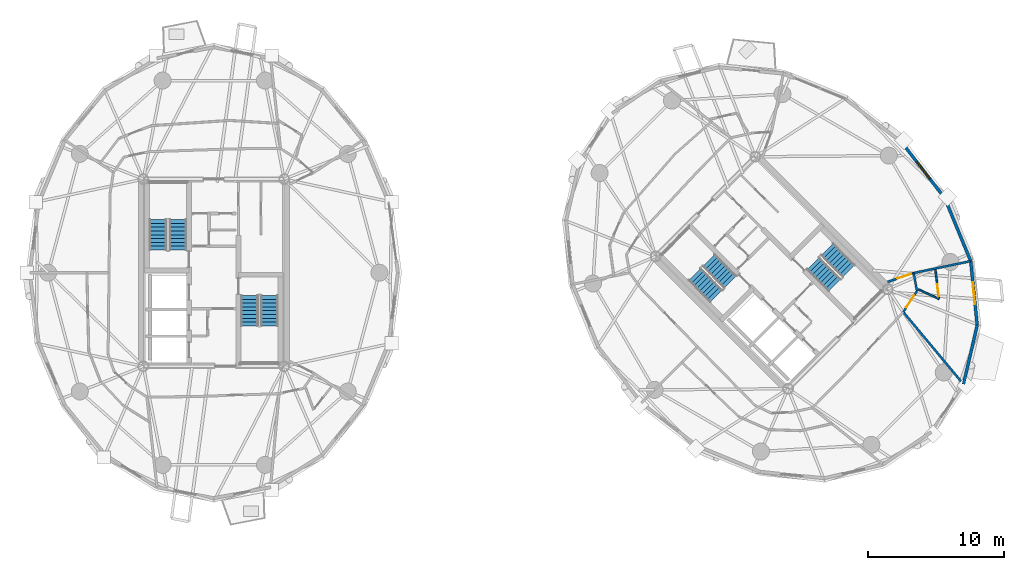
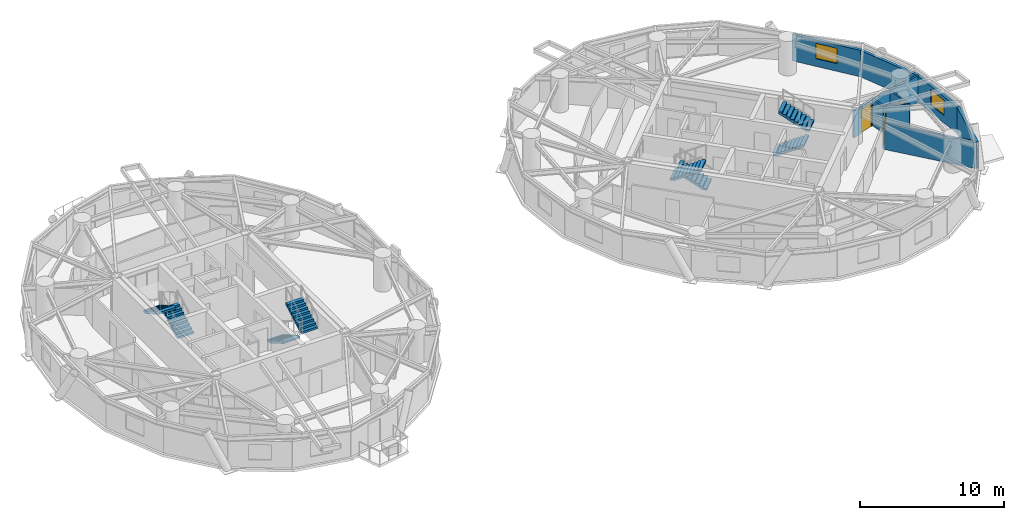
# One storey, part 15 of 18: 11 walls, 8 stair flights, 3 doors, 2 windows, 5 openings, 4 elements without a shape of their own.
"""IFC4 building model written with IfcOpenShell, lengths in metres."""

from ifc_helpers import new_model, si_unit, direction, frame, frame_2d, origin, place, context, subcontext, project, spatial, polyline, rectangle, outline, extrude, source, transform, mapped, material, layer, layer_set, type_object, element, fill, aggregate, save


model = new_model("IFC4")

# Units and contexts
model_context = context("Model", 3, precision=1e-05, world=origin(), true_north=direction((0.0, 1.0)))
body_context = subcontext(model_context, "Body", "Model", "MODEL_VIEW")
ifc_project = project(units=[si_unit("LENGTHUNIT", "METRE"), si_unit("AREAUNIT", "SQUARE_METRE"), si_unit("VOLUMEUNIT", "CUBIC_METRE"), si_unit("PLANEANGLEUNIT", "RADIAN"), si_unit("MASSUNIT", "GRAM", prefix="KILO")], contexts=[model_context])

# Site, building, storey
site_placement = place(None, origin())
site = spatial("IfcSite", under=ifc_project, at=site_placement, CompositionType="ELEMENT")
building_placement = place(site_placement, origin())
building = spatial("IfcBuilding", under=site, at=building_placement, Name="Cununo Teusaquillo Station Towers", CompositionType="ELEMENT")
storey_placement = place(building_placement, frame((0.0, 0.0, 169.06005859375)))
storey = spatial("IfcBuildingStorey", under=building, at=storey_placement, Name="L53", CompositionType="ELEMENT", Elevation=169.06005859375)

# Wall
ifc_material_1 = material(Name="Precast concrete C40/50", Category="concrete")
ifc_layer_1 = layer(ifc_material_1, 0.219970703125)
ifc_layer_set_1 = layer_set([ifc_layer_1], Name="Precast concrete C40/50")
wall_type_1 = type_object("IfcWallType", Name="WL-EXT-220", PredefinedType="SOLIDWALL", material=ifc_layer_set_1)
wall_1_placement = place(storey_placement, frame((72.602783203125, 20.644775390625, 0.0), z_axis=(0.0, 0.0, 1.0), x_axis=(-0.22557328587, -0.97422620202, 0.0)))
element("IfcWall", 1, at=wall_1_placement, inside=storey, type_object=wall_type_1, Name="L53 Tower B Exterior Facade Wall C16", PredefinedType="SOLIDWALL", context=body_context, shape_type="SweptSolid", body=[
    extrude(rectangle(XDim=4.446044921875, YDim=0.219970703125, at=frame_2d((2.22314453125, 0.0))), origin(), (0.0, 0.0, 1.0), 2.244873046875),
])

# Wall, opening, window
wall_2_placement = place(storey_placement, frame((72.12744140625, 25.353515625, 0.0), z_axis=(0.0, 0.0, 1.0), x_axis=(0.100438356004, -0.994943283129, 0.0)))
wall_2 = element("IfcWall", 2, at=wall_2_placement, inside=storey, type_object=wall_type_1, Name="L53 Tower B Exterior Facade Wall C17", PredefinedType="SOLIDWALL", context=body_context, shape_type="SweptSolid", body=[
    extrude(rectangle(XDim=4.732666015625, YDim=0.219970703125, at=frame_2d((2.3662109375, 0.0))), origin(), (0.0, 0.0, 1.0), 2.244873046875),
])
shared_shape_1 = source(origin(), body_context, "Body", "SweptSolid", [
    extrude(rectangle(XDim=1.60009765625, YDim=1.300048828125, at=frame_2d((0.800048828125, 0.64990234375))), frame((0.0, 0.119873046875, 0.0), z_axis=(0.0, -1.0, 0.0), x_axis=(1.0, 0.0, 0.0)), (0.0, 0.0, 1.0), 0.239990234375),
])
opening_1_placement = place(wall_2_placement, frame((1.56591796875, 0.0, 0.64990234375)))
opening_1 = element("IfcOpeningElement", 3, at=opening_1_placement, cuts=wall_2, Name="Opening WN-03", PredefinedType="OPENING", context=body_context, shape_type="MappedRepresentation", body=[
    mapped(shared_shape_1, transform((0.0, 0.0, 0.0), x_axis=(1.0, 0.0, 0.0), y_axis=(0.0, 1.0, 0.0), z_axis=(0.0, 0.0, 1.0), scale=1.0)),
])
ifc_material_2 = material(Name="Ceramic-fritted dark low-E double glazing", Category="glass")
window_type = type_object("IfcWindowType", Name="WIN-CORN-1600", PartitioningType="SINGLE_PANEL", PredefinedType="WINDOW", material=ifc_material_2)
shared_shape_2 = source(origin(), body_context, "Body", "SweptSolid", [
    extrude(rectangle(XDim=1.60009765625, YDim=1.300048828125, at=frame_2d((0.800048828125, 0.64990234375))), frame((0.0, 0.030029296875, 0.0), z_axis=(0.0, -1.0, 0.0), x_axis=(1.0, 0.0, 0.0)), (0.0, 0.0, 1.0), 0.06005859375),
])
window_1_placement = place(opening_1_placement, origin())
window_1 = element("IfcWindow", 4, at=window_1_placement, inside=storey, type_object=window_type, Name="L53 Tower B Facade Window C17", OverallHeight=1.300048828125, OverallWidth=1.60009765625, PartitioningType="SINGLE_PANEL", PredefinedType="WINDOW", context=body_context, shape_type="MappedRepresentation", body=[
    mapped(shared_shape_2, transform((0.0, 0.0, 0.0), x_axis=(1.0, 0.0, 0.0), y_axis=(0.0, 1.0, 0.0), z_axis=(0.0, 0.0, 1.0), scale=1.0)),
])
fill(opening_1, window_1)

# Wall
wall_3_placement = place(storey_placement, frame((70.22021484375, 29.97900390625, 0.0), z_axis=(0.0, 0.0, 1.0), x_axis=(0.381196434348, -0.924494066201, 0.0)))
element("IfcWall", 5, at=wall_3_placement, inside=storey, type_object=wall_type_1, Name="L53 Tower B Exterior Facade Wall C18", PredefinedType="SOLIDWALL", context=body_context, shape_type="SweptSolid", body=[
    extrude(rectangle(XDim=5.003173828125, YDim=0.219970703125, at=frame_2d((2.50146484375, 0.0))), origin(), (0.0, 0.0, 1.0), 2.244873046875),
])

# Wall, opening, window
wall_4_placement = place(storey_placement, frame((67.06787109375, 34.06787109375, 0.0), z_axis=(0.0, 0.0, 1.0), x_axis=(0.610569654715, -0.791962560189, 0.0)))
wall_4 = element("IfcWall", 6, at=wall_4_placement, inside=storey, type_object=wall_type_1, Name="L53 Tower B Exterior Facade Wall C19", PredefinedType="SOLIDWALL", context=body_context, shape_type="SweptSolid", body=[
    extrude(rectangle(XDim=5.162841796875, YDim=0.219970703125, at=frame_2d((2.58154296875, 0.0))), origin(), (0.0, 0.0, 1.0), 2.244873046875),
])
opening_2_placement = place(wall_4_placement, frame((1.781982421875, 0.0, 0.64990234375)))
opening_2 = element("IfcOpeningElement", 7, at=opening_2_placement, cuts=wall_4, Name="Opening WN-03", PredefinedType="OPENING", context=body_context, shape_type="MappedRepresentation", body=[
    mapped(shared_shape_1, transform((0.0, 0.0, 0.0), x_axis=(1.0, 0.0, 0.0), y_axis=(0.0, 1.0, 0.0), z_axis=(0.0, 0.0, 1.0), scale=1.0)),
])
window_2_placement = place(opening_2_placement, origin())
window_2 = element("IfcWindow", 8, at=window_2_placement, inside=storey, type_object=window_type, Name="L53 Tower B Facade Window C19", OverallHeight=1.300048828125, OverallWidth=1.60009765625, PartitioningType="SINGLE_PANEL", PredefinedType="WINDOW", context=body_context, shape_type="MappedRepresentation", body=[
    mapped(shared_shape_2, transform((0.0, 0.0, 0.0), x_axis=(1.0, 0.0, 0.0), y_axis=(0.0, 1.0, 0.0), z_axis=(0.0, 0.0, 1.0), scale=1.0)),
])
fill(opening_2, window_2)

# Wall
ifc_material_3 = material(Name="Fire-rated gypsum plasterboard partition assembly", Category="gypsum")
ifc_layer_2 = layer(ifc_material_3, 0.125)
ifc_layer_set_2 = layer_set([ifc_layer_2], Name="Fire-rated gypsum plasterboard partition assembly")
wall_type_2 = type_object("IfcWallType", Name="WL-PART-125", PredefinedType="PARTITIONING", material=ifc_layer_set_2)
wall_5_placement = place(storey_placement, frame((68.274658203125, 23.27978515625, 0.0), z_axis=(0.0, 0.0, 1.0), x_axis=(0.906681243062, -0.421816457099, 0.0)))
element("IfcWall", 9, at=wall_5_placement, inside=storey, type_object=wall_type_2, Name="L53 Tower B S06 En-suite Side Wall", PredefinedType="PARTITIONING", context=body_context, shape_type="SweptSolid", body=[
    extrude(rectangle(XDim=1.688232421875, YDim=0.125, at=frame_2d((0.84423828125, 0.0))), origin(), (0.0, 0.0, 1.0), 2.31201171875),
])

# Wall, opening, door
wall_6_placement = place(storey_placement, frame((69.797119140625, 22.6328125, 0.0), z_axis=(0.0, 0.0, 1.0), x_axis=(-0.125234581717, 0.992127158958, 0.0)))
wall_6 = element("IfcWall", 10, at=wall_6_placement, inside=storey, type_object=wall_type_2, Name="L53 Tower B S06 En-suite Back Wall", PredefinedType="PARTITIONING", context=body_context, shape_type="SweptSolid", body=[
    extrude(rectangle(XDim=2.103515625, YDim=0.125, at=frame_2d((1.0517578125, 0.0))), origin(), (0.0, 0.0, 1.0), 2.244873046875),
])
shared_shape_3 = source(origin(), body_context, "Body", "SweptSolid", [
    extrude(rectangle(XDim=0.89990234375, YDim=2.0048828125, at=frame_2d((0.449951171875, 1.00244140625))), frame((0.0, 0.072509765625, 0.0), z_axis=(0.0, -1.0, 0.0), x_axis=(1.0, 0.0, 0.0)), (0.0, 0.0, 1.0), 0.14501953125),
])
opening_3_placement = place(wall_6_placement, frame((0.1201171875, 0.0, 0.0)))
opening_3 = element("IfcOpeningElement", 11, at=opening_3_placement, cuts=wall_6, Name="Opening D-IN1", PredefinedType="OPENING", context=body_context, shape_type="MappedRepresentation", body=[
    mapped(shared_shape_3, transform((0.0, 0.0, 0.0), x_axis=(1.0, 0.0, 0.0), y_axis=(0.0, 1.0, 0.0), z_axis=(0.0, 0.0, 1.0), scale=1.0)),
])
ifc_material_4 = material(Name="Acoustic solid-core hardwood leaf assembly", Category="wood")
door_type_1 = type_object("IfcDoorType", Name="DR-INT-900", OperationType="NOTDEFINED", PredefinedType="DOOR", material=ifc_material_4)
shared_shape_4 = source(origin(), body_context, "Body", "SweptSolid", [
    extrude(rectangle(XDim=0.89990234375, YDim=2.0048828125, at=frame_2d((0.449951171875, 1.00244140625))), frame((0.0, 0.02490234375, 0.0), z_axis=(0.0, -1.0, 0.0), x_axis=(1.0, 0.0, 0.0)), (0.0, 0.0, 1.0), 0.050048828125),
])
door_1_placement = place(opening_3_placement, origin())
door_1 = element("IfcDoor", 12, at=door_1_placement, inside=storey, type_object=door_type_1, Name="L53 Tower B S06 En-suite Bathroom Door", OperationType="SINGLE_SWING_LEFT", OverallHeight=2.0048828125, OverallWidth=0.89990234375, PredefinedType="DOOR", context=body_context, shape_type="MappedRepresentation", body=[
    mapped(shared_shape_4, transform((0.0, 0.0, 0.0), x_axis=(1.0, 0.0, 0.0), y_axis=(0.0, 1.0, 0.0), z_axis=(0.0, 0.0, 1.0), scale=1.0)),
])
fill(opening_3, door_1)

ifc_material_5 = material(Name="Fire-rated gypsum plasterboard partition assembly", Category="gypsum")
ifc_layer_3 = layer(ifc_material_5, 0.14990234375)
ifc_layer_set_3 = layer_set([ifc_layer_3], Name="Fire-rated gypsum plasterboard partition assembly")
wall_type_3 = type_object("IfcWallType", Name="WL-PART-150", PredefinedType="PARTITIONING", material=ifc_layer_set_3)
wall_7_placement = place(storey_placement, frame((67.17333984375, 21.6083984375, 0.0), z_axis=(0.0, 0.0, 1.0), x_axis=(0.544299403682, 0.838891029367, 0.0)))
wall_7 = element("IfcWall", 13, at=wall_7_placement, inside=storey, type_object=wall_type_3, Name="L53 Tower B Corridor Ring Wall C16", PredefinedType="PARTITIONING", context=body_context, shape_type="SweptSolid", body=[
    extrude(rectangle(XDim=1.843994140625, YDim=0.14990234375, at=frame_2d((0.921875, 0.0))), origin(), (0.0, 0.0, 1.0), 2.244873046875),
])
shared_shape_5 = source(origin(), body_context, "Body", "SweptSolid", [
    extrude(rectangle(XDim=1.050048828125, YDim=2.014892578125, at=frame_2d((0.52490234375, 1.00732421875))), frame((0.0, 0.0849609375, 0.0), z_axis=(0.0, -1.0, 0.0), x_axis=(1.0, 0.0, 0.0)), (0.0, 0.0, 1.0), 0.169921875),
])
opening_4_placement = place(wall_7_placement, frame((0.39697265625, 0.0, 0.0)))
opening_4 = element("IfcOpeningElement", 14, at=opening_4_placement, cuts=wall_7, Name="Opening D-SU1", PredefinedType="OPENING", context=body_context, shape_type="MappedRepresentation", body=[
    mapped(shared_shape_5, transform((0.0, 0.0, 0.0), x_axis=(1.0, 0.0, 0.0), y_axis=(0.0, 1.0, 0.0), z_axis=(0.0, 0.0, 1.0), scale=1.0)),
])
ifc_material_6 = material(Name="Acoustic solid-core hardwood leaf assembly", Category="wood")
door_type_2 = type_object("IfcDoorType", Name="DR-SUITE-1050", OperationType="NOTDEFINED", PredefinedType="DOOR", material=ifc_material_6)
shared_shape_6 = source(origin(), body_context, "Body", "SweptSolid", [
    extrude(rectangle(XDim=1.050048828125, YDim=2.014892578125, at=frame_2d((0.52490234375, 1.00732421875))), frame((0.0, 0.02490234375, 0.0), z_axis=(0.0, -1.0, 0.0), x_axis=(1.0, 0.0, 0.0)), (0.0, 0.0, 1.0), 0.050048828125),
])
door_2_placement = place(opening_4_placement, origin())
door_2 = element("IfcDoor", 15, at=door_2_placement, inside=storey, type_object=door_type_2, Name="L53 Tower B Diplomatic Crest Hotel Suite Entrance Door", OperationType="SINGLE_SWING_RIGHT", OverallHeight=2.014892578125, OverallWidth=1.050048828125, PredefinedType="DOOR", context=body_context, shape_type="MappedRepresentation", body=[
    mapped(shared_shape_6, transform((0.0, 0.0, 0.0), x_axis=(1.0, 0.0, 0.0), y_axis=(0.0, 1.0, 0.0), z_axis=(0.0, 0.0, 1.0), scale=1.0)),
])
fill(opening_4, door_2)

# Walls
wall_8_placement = place(storey_placement, frame((68.177001953125, 23.1552734375, 0.0), z_axis=(0.0, 0.0, 1.0), x_axis=(-0.1778483434, 0.98405790823, 0.0)))
element("IfcWall", 16, at=wall_8_placement, inside=storey, type_object=wall_type_3, Name="L53 Tower B Corridor Ring Wall C17", PredefinedType="PARTITIONING", context=body_context, shape_type="SweptSolid", body=[
    extrude(rectangle(XDim=1.3466796875, YDim=0.14990234375, at=frame_2d((0.67333984375, 0.0))), origin(), (0.0, 0.0, 1.0), 2.244873046875),
])
ifc_material_7 = material(Name="Fire-rated gypsum plasterboard partition assembly", Category="gypsum")
ifc_layer_4 = layer(ifc_material_7, 0.159912109375)
ifc_layer_set_4 = layer_set([ifc_layer_4], Name="Fire-rated gypsum plasterboard partition assembly")
wall_type_4 = type_object("IfcWallType", Name="WL-PART-160", PredefinedType="PARTITIONING", material=ifc_layer_set_4)
wall_9_placement = place(storey_placement, frame((67.17333984375, 21.6083984375, 0.0), z_axis=(0.0, 0.0, 1.0), x_axis=(0.64050880156, -0.767950828585, 0.0)))
element("IfcWall", 17, at=wall_9_placement, inside=storey, type_object=wall_type_4, Name="L53 Tower B Radial Suite Partition R06", PredefinedType="PARTITIONING", context=body_context, shape_type="SweptSolid", body=[
    extrude(rectangle(XDim=6.883056640625, YDim=0.159912109375, at=frame_2d((3.44140625, 0.0))), origin(), (0.0, 0.0, 1.0), 2.244873046875),
])
wall_10_placement = place(storey_placement, frame((67.9375, 24.48046875, 0.0), z_axis=(0.0, 0.0, 1.0), x_axis=(0.978917914143, 0.204254051051, 0.0)))
element("IfcWall", 18, at=wall_10_placement, inside=storey, type_object=wall_type_4, Name="L53 Tower B Radial Suite Partition R07", PredefinedType="PARTITIONING", context=body_context, shape_type="SweptSolid", body=[
    extrude(rectangle(XDim=4.260009765625, YDim=0.159912109375, at=frame_2d((2.1298828125, 0.0))), origin(), (0.0, 0.0, 1.0), 2.244873046875),
])

# Wall, opening, door
wall_11_placement = place(storey_placement, frame((66.0205078125, 23.828125, 0.0), z_axis=(0.0, 0.0, 1.0), x_axis=(0.946687463515, 0.32215345167, 0.0)))
wall_11 = element("IfcWall", 19, at=wall_11_placement, inside=storey, type_object=wall_type_4, Name="L53 Tower B East Salon Corridor Portal Wall SE", PredefinedType="PARTITIONING", context=body_context, shape_type="SweptSolid", body=[
    extrude(rectangle(XDim=2.02490234375, YDim=0.159912109375, at=frame_2d((1.012451171875, 0.0))), origin(), (0.0, 0.0, 1.0), 2.244873046875),
])
shared_shape_7 = source(origin(), body_context, "Body", "SweptSolid", [
    extrude(rectangle(XDim=1.050048828125, YDim=2.014892578125, at=frame_2d((0.52490234375, 1.00732421875))), frame((0.0, 0.08984375, 0.0), z_axis=(0.0, -1.0, 0.0), x_axis=(1.0, 0.0, 0.0)), (0.0, 0.0, 1.0), 0.179931640625),
])
opening_5_placement = place(wall_11_placement, frame((0.774658203125, 0.0, 0.0)))
opening_5 = element("IfcOpeningElement", 20, at=opening_5_placement, cuts=wall_11, Name="Opening D-SU1", PredefinedType="OPENING", context=body_context, shape_type="MappedRepresentation", body=[
    mapped(shared_shape_7, transform((0.0, 0.0, 0.0), x_axis=(1.0, 0.0, 0.0), y_axis=(0.0, 1.0, 0.0), z_axis=(0.0, 0.0, 1.0), scale=1.0)),
])
door_3_placement = place(opening_5_placement, origin())
door_3 = element("IfcDoor", 21, at=door_3_placement, inside=storey, type_object=door_type_2, Name="L53 Tower B East Panorama Sky Salon Door SE", OperationType="SINGLE_SWING_LEFT", OverallHeight=2.014892578125, OverallWidth=1.050048828125, PredefinedType="DOOR", context=body_context, shape_type="MappedRepresentation", body=[
    mapped(shared_shape_6, transform((0.0, 0.0, 0.0), x_axis=(1.0, 0.0, 0.0), y_axis=(0.0, 1.0, 0.0), z_axis=(0.0, 0.0, 1.0), scale=1.0)),
])
fill(opening_5, door_3)

# Stair, stair flights
ifc_material_8 = material(Name="Concrete C50/60", Category="concrete")
stair_type = type_object("IfcStairType", Name="ST-TWR-1300", PredefinedType="HALF_TURN_STAIR", material=ifc_material_8)
stair_1_placement = place(storey_placement, origin())
stair_1 = element("IfcStair", 22, at=stair_1_placement, inside=storey, type_object=stair_type, Name="L53 Tower A Protected Core Exit Stair 1", PredefinedType="HALF_TURN_STAIR")
ifc_material_9 = material(Name="Concrete C50/60", Category="concrete")
stair_flight_type = type_object("IfcStairFlightType", Name="SFL-TWR-1300", PredefinedType="STRAIGHT", material=ifc_material_9)
stair_flight_1_placement = place(storey_placement, frame((13.8701171875, 26.169921875, 0.0), z_axis=(0.0, 0.0, 1.0), x_axis=(0.0, 1.0, 0.0)))
stair_flight_1 = element("IfcStairFlight", 23, at=stair_flight_1_placement, type_object=stair_flight_type, Name="ST-T1-1 flight 1", NumberOfRisers=9, NumberOfTreads=8, PredefinedType="STRAIGHT", RiserHeight=0.161666667, TreadLength=0.28, context=body_context, shape_type="SweptSolid", body=[
    extrude(outline(polyline([(0.0, 0.0), (0.0, 0.16162109375), (0.280029296875, 0.16162109375), (0.280029296875, 0.3232421875), (0.56005859375, 0.3232421875), (0.56005859375, 0.485107421875), (0.840087890625, 0.485107421875), (0.840087890625, 0.646728515625), (1.1201171875, 0.646728515625), (1.1201171875, 0.808349609375), (1.39990234375, 0.808349609375), (1.39990234375, 0.969970703125), (1.679931640625, 0.969970703125), (1.679931640625, 1.131591796875), (1.9599609375, 1.131591796875), (1.9599609375, 1.293212890625), (2.239990234375, 1.293212890625), (2.239990234375, 1.455078125), (2.239990234375, 1.1201171875), (0.2998046875, 0.0), (0.0, 0.0)])), frame((0.0, 0.64990234375, 0.0), z_axis=(0.0, -1.0, 0.0), x_axis=(1.0, 0.0, 0.0)), (0.0, 0.0, 1.0), 1.300048828125),
])
stair_flight_2_placement = place(storey_placement, frame((12.409912109375, 28.409912109375, 1.454833984375), z_axis=(0.0, 0.0, 1.0), x_axis=(0.0, -1.0, 0.0)))
stair_flight_2 = element("IfcStairFlight", 24, at=stair_flight_2_placement, type_object=stair_flight_type, Name="ST-T1-1 flight 2", NumberOfRisers=9, NumberOfTreads=8, PredefinedType="STRAIGHT", RiserHeight=0.161666667, TreadLength=0.28, context=body_context, shape_type="SweptSolid", body=[
    extrude(outline(polyline([(0.0, 0.0), (0.0, 0.16162109375), (0.280029296875, 0.16162109375), (0.280029296875, 0.3232421875), (0.56005859375, 0.3232421875), (0.56005859375, 0.485107421875), (0.840087890625, 0.485107421875), (0.840087890625, 0.646728515625), (1.1201171875, 0.646728515625), (1.1201171875, 0.808349609375), (1.39990234375, 0.808349609375), (1.39990234375, 0.969970703125), (1.679931640625, 0.969970703125), (1.679931640625, 1.131591796875), (1.9599609375, 1.131591796875), (1.9599609375, 1.293212890625), (2.239990234375, 1.293212890625), (2.239990234375, 1.455078125), (2.239990234375, 1.1201171875), (0.2998046875, 0.0), (0.0, 0.0)])), frame((0.0, 0.64990234375, 0.0), z_axis=(0.0, -1.0, 0.0), x_axis=(1.0, 0.0, 0.0)), (0.0, 0.0, 1.0), 1.300048828125),
])
aggregate(stair_1, [stair_flight_1, stair_flight_2])

stair_2_placement = place(storey_placement, origin())
stair_2 = element("IfcStair", 25, at=stair_2_placement, inside=storey, type_object=stair_type, Name="L53 Tower A Protected Core Exit Stair 2", PredefinedType="HALF_TURN_STAIR")
stair_flight_3_placement = place(storey_placement, frame((19.1298828125, 22.830078125, 0.0), z_axis=(0.0, 0.0, 1.0), x_axis=(0.0, -1.0, 0.0)))
stair_flight_3 = element("IfcStairFlight", 26, at=stair_flight_3_placement, type_object=stair_flight_type, Name="ST-T1-2 flight 1", NumberOfRisers=9, NumberOfTreads=8, PredefinedType="STRAIGHT", RiserHeight=0.161666667, TreadLength=0.28, context=body_context, shape_type="SweptSolid", body=[
    extrude(outline(polyline([(0.0, 0.0), (0.0, 0.16162109375), (0.280029296875, 0.16162109375), (0.280029296875, 0.3232421875), (0.56005859375, 0.3232421875), (0.56005859375, 0.485107421875), (0.840087890625, 0.485107421875), (0.840087890625, 0.646728515625), (1.1201171875, 0.646728515625), (1.1201171875, 0.808349609375), (1.39990234375, 0.808349609375), (1.39990234375, 0.969970703125), (1.679931640625, 0.969970703125), (1.679931640625, 1.131591796875), (1.9599609375, 1.131591796875), (1.9599609375, 1.293212890625), (2.239990234375, 1.293212890625), (2.239990234375, 1.455078125), (2.239990234375, 1.1201171875), (0.2998046875, 0.0), (0.0, 0.0)])), frame((0.0, 0.64990234375, 0.0), z_axis=(0.0, -1.0, 0.0), x_axis=(1.0, 0.0, 0.0)), (0.0, 0.0, 1.0), 1.300048828125),
])
stair_flight_4_placement = place(storey_placement, frame((20.590087890625, 20.590087890625, 1.454833984375), z_axis=(0.0, 0.0, 1.0), x_axis=(0.0, 1.0, 0.0)))
stair_flight_4 = element("IfcStairFlight", 27, at=stair_flight_4_placement, type_object=stair_flight_type, Name="ST-T1-2 flight 2", NumberOfRisers=9, NumberOfTreads=8, PredefinedType="STRAIGHT", RiserHeight=0.161666667, TreadLength=0.28, context=body_context, shape_type="SweptSolid", body=[
    extrude(outline(polyline([(0.0, 0.0), (0.0, 0.16162109375), (0.280029296875, 0.16162109375), (0.280029296875, 0.3232421875), (0.56005859375, 0.3232421875), (0.56005859375, 0.485107421875), (0.840087890625, 0.485107421875), (0.840087890625, 0.646728515625), (1.1201171875, 0.646728515625), (1.1201171875, 0.808349609375), (1.39990234375, 0.808349609375), (1.39990234375, 0.969970703125), (1.679931640625, 0.969970703125), (1.679931640625, 1.131591796875), (1.9599609375, 1.131591796875), (1.9599609375, 1.293212890625), (2.239990234375, 1.293212890625), (2.239990234375, 1.455078125), (2.239990234375, 1.1201171875), (0.2998046875, 0.0), (0.0, 0.0)])), frame((0.0, 0.64990234375, 0.0), z_axis=(0.0, -1.0, 0.0), x_axis=(1.0, 0.0, 0.0)), (0.0, 0.0, 1.0), 1.300048828125),
])
aggregate(stair_2, [stair_flight_3, stair_flight_4])

stair_3_placement = place(storey_placement, origin())
stair_3 = element("IfcStair", 28, at=stair_3_placement, inside=storey, type_object=stair_type, Name="L53 Tower B Protected Core Exit Stair 1", PredefinedType="HALF_TURN_STAIR")
stair_flight_5_placement = place(storey_placement, frame((54.45947265625, 23.8212890625, 0.0), z_axis=(0.0, 0.0, 1.0), x_axis=(-0.707106781187, 0.707106781187, 0.0)))
stair_flight_5 = element("IfcStairFlight", 29, at=stair_flight_5_placement, type_object=stair_flight_type, Name="ST-T2-1 flight 1", NumberOfRisers=9, NumberOfTreads=8, PredefinedType="STRAIGHT", RiserHeight=0.161666667, TreadLength=0.28, context=body_context, shape_type="SweptSolid", body=[
    extrude(outline(polyline([(0.0, 0.0), (0.0, 0.16162109375), (0.280029296875, 0.16162109375), (0.280029296875, 0.3232421875), (0.56005859375, 0.3232421875), (0.56005859375, 0.485107421875), (0.840087890625, 0.485107421875), (0.840087890625, 0.646728515625), (1.1201171875, 0.646728515625), (1.1201171875, 0.808349609375), (1.39990234375, 0.808349609375), (1.39990234375, 0.969970703125), (1.679931640625, 0.969970703125), (1.679931640625, 1.131591796875), (1.9599609375, 1.131591796875), (1.9599609375, 1.293212890625), (2.239990234375, 1.293212890625), (2.239990234375, 1.455078125), (2.239990234375, 1.1201171875), (0.2998046875, 0.0), (0.0, 0.0)])), frame((0.0, 0.64990234375, 0.0), z_axis=(0.0, -1.0, 0.0), x_axis=(1.0, 0.0, 0.0)), (0.0, 0.0, 1.0), 1.300048828125),
])
stair_flight_6_placement = place(storey_placement, frame((51.84326171875, 24.372802734375, 1.454833984375), z_axis=(0.0, 0.0, 1.0), x_axis=(0.707106781187, -0.707106781187, 0.0)))
stair_flight_6 = element("IfcStairFlight", 30, at=stair_flight_6_placement, type_object=stair_flight_type, Name="ST-T2-1 flight 2", NumberOfRisers=9, NumberOfTreads=8, PredefinedType="STRAIGHT", RiserHeight=0.161666667, TreadLength=0.28, context=body_context, shape_type="SweptSolid", body=[
    extrude(outline(polyline([(0.0, 0.0), (0.0, 0.16162109375), (0.280029296875, 0.16162109375), (0.280029296875, 0.3232421875), (0.56005859375, 0.3232421875), (0.56005859375, 0.485107421875), (0.840087890625, 0.485107421875), (0.840087890625, 0.646728515625), (1.1201171875, 0.646728515625), (1.1201171875, 0.808349609375), (1.39990234375, 0.808349609375), (1.39990234375, 0.969970703125), (1.679931640625, 0.969970703125), (1.679931640625, 1.131591796875), (1.9599609375, 1.131591796875), (1.9599609375, 1.293212890625), (2.239990234375, 1.293212890625), (2.239990234375, 1.455078125), (2.239990234375, 1.1201171875), (0.2998046875, 0.0), (0.0, 0.0)])), frame((0.0, 0.64990234375, 0.0), z_axis=(0.0, -1.0, 0.0), x_axis=(1.0, 0.0, 0.0)), (0.0, 0.0, 1.0), 1.300048828125),
])
aggregate(stair_3, [stair_flight_5, stair_flight_6])

stair_4_placement = place(storey_placement, origin())
stair_4 = element("IfcStair", 31, at=stair_4_placement, inside=storey, type_object=stair_type, Name="L53 Tower B Protected Core Exit Stair 2", PredefinedType="HALF_TURN_STAIR")
stair_flight_7_placement = place(storey_placement, frame((60.54052734375, 25.1787109375, 0.0), z_axis=(0.0, 0.0, 1.0), x_axis=(0.707106781187, -0.707106781187, 0.0)))
stair_flight_7 = element("IfcStairFlight", 32, at=stair_flight_7_placement, type_object=stair_flight_type, Name="ST-T2-2 flight 1", NumberOfRisers=9, NumberOfTreads=8, PredefinedType="STRAIGHT", RiserHeight=0.161666667, TreadLength=0.28, context=body_context, shape_type="SweptSolid", body=[
    extrude(outline(polyline([(0.0, 0.0), (0.0, 0.16162109375), (0.280029296875, 0.16162109375), (0.280029296875, 0.3232421875), (0.56005859375, 0.3232421875), (0.56005859375, 0.485107421875), (0.840087890625, 0.485107421875), (0.840087890625, 0.646728515625), (1.1201171875, 0.646728515625), (1.1201171875, 0.808349609375), (1.39990234375, 0.808349609375), (1.39990234375, 0.969970703125), (1.679931640625, 0.969970703125), (1.679931640625, 1.131591796875), (1.9599609375, 1.131591796875), (1.9599609375, 1.293212890625), (2.239990234375, 1.293212890625), (2.239990234375, 1.455078125), (2.239990234375, 1.1201171875), (0.2998046875, 0.0), (0.0, 0.0)])), frame((0.0, 0.64990234375, 0.0), z_axis=(0.0, -1.0, 0.0), x_axis=(1.0, 0.0, 0.0)), (0.0, 0.0, 1.0), 1.300048828125),
])
stair_flight_8_placement = place(storey_placement, frame((63.15673828125, 24.627197265625, 1.454833984375), z_axis=(0.0, 0.0, 1.0), x_axis=(-0.707106781187, 0.707106781187, 0.0)))
stair_flight_8 = element("IfcStairFlight", 33, at=stair_flight_8_placement, type_object=stair_flight_type, Name="ST-T2-2 flight 2", NumberOfRisers=9, NumberOfTreads=8, PredefinedType="STRAIGHT", RiserHeight=0.161666667, TreadLength=0.28, context=body_context, shape_type="SweptSolid", body=[
    extrude(outline(polyline([(0.0, 0.0), (0.0, 0.16162109375), (0.280029296875, 0.16162109375), (0.280029296875, 0.3232421875), (0.56005859375, 0.3232421875), (0.56005859375, 0.485107421875), (0.840087890625, 0.485107421875), (0.840087890625, 0.646728515625), (1.1201171875, 0.646728515625), (1.1201171875, 0.808349609375), (1.39990234375, 0.808349609375), (1.39990234375, 0.969970703125), (1.679931640625, 0.969970703125), (1.679931640625, 1.131591796875), (1.9599609375, 1.131591796875), (1.9599609375, 1.293212890625), (2.239990234375, 1.293212890625), (2.239990234375, 1.455078125), (2.239990234375, 1.1201171875), (0.2998046875, 0.0), (0.0, 0.0)])), frame((0.0, 0.64990234375, 0.0), z_axis=(0.0, -1.0, 0.0), x_axis=(1.0, 0.0, 0.0)), (0.0, 0.0, 1.0), 1.300048828125),
])
aggregate(stair_4, [stair_flight_7, stair_flight_8])

save(model, "model.ifc")
